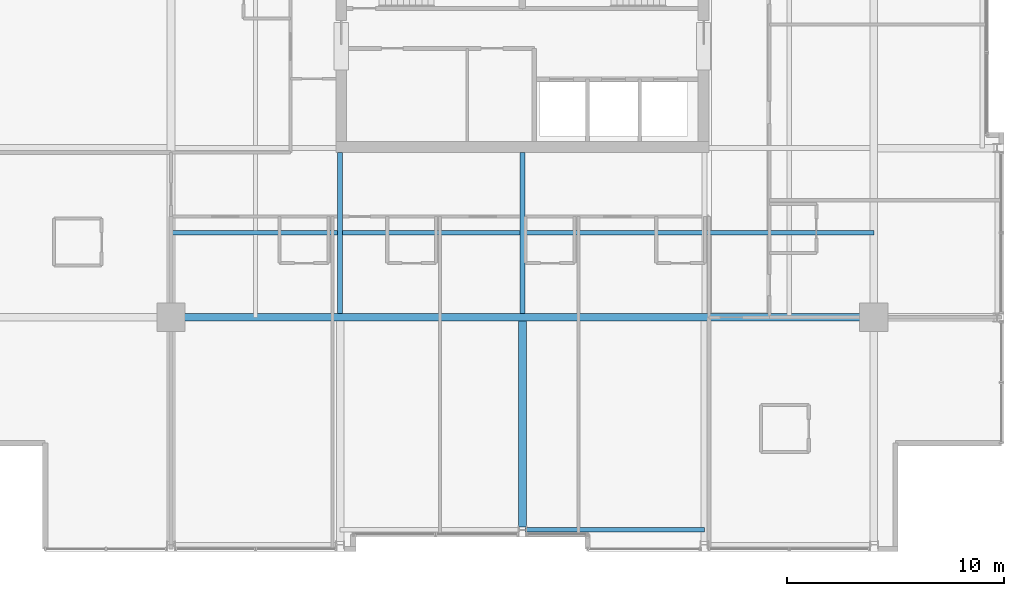
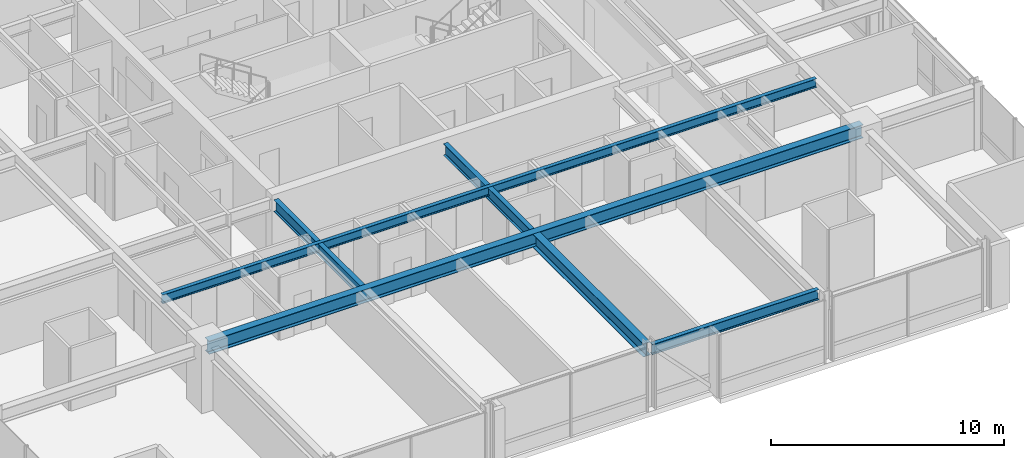
# One storey, part 6 of 34: 6 beams.
"""IFC4 building model written with IfcOpenShell, lengths in metres."""

from ifc_helpers import new_model, si_unit, direction, frame, origin, origin_2d, place, context, subcontext, project, spatial, i_section, extrude, material, material_profile, profile_set, type_object, element, save


model = new_model("IFC4")

# Units and contexts
model_context = context("Model", 3, precision=1e-05, world=origin(), true_north=direction((0.0, 1.0)))
body_context = subcontext(model_context, "Body", "Model", "MODEL_VIEW")
ifc_project = project(units=[si_unit("LENGTHUNIT", "METRE"), si_unit("AREAUNIT", "SQUARE_METRE"), si_unit("VOLUMEUNIT", "CUBIC_METRE"), si_unit("PLANEANGLEUNIT", "RADIAN"), si_unit("MASSUNIT", "GRAM", prefix="KILO")], contexts=[model_context])

# Site, building, storey
site_placement = place(None, origin())
site = spatial("IfcSite", under=ifc_project, at=site_placement, CompositionType="ELEMENT")
building_placement = place(site_placement, origin())
building = spatial("IfcBuilding", under=site, at=building_placement, Name="Drelvath Grand Hotel", CompositionType="ELEMENT")
storey_placement = place(building_placement, frame((0.0, 0.0, 175.25)))
storey = spatial("IfcBuildingStorey", under=building, at=storey_placement, Name="L45", CompositionType="ELEMENT", Elevation=175.25)

# Beams
ifc_material = material(Name="Steel ASTM A992 Gr 50", Category="steel")
ifc_material_profile_1 = material_profile(ifc_material, i_section(OverallWidth=0.19140625, OverallDepth=0.4599609375, WebThickness=0.010009765625, FlangeThickness=0.01611328125, FilletRadius=0.01611328125, at=origin_2d()), Name="W18X55")
ifc_profile_set_1 = profile_set([ifc_material_profile_1], Name="Steel ASTM A992 Gr 50")
beam_type_1 = type_object("IfcBeamType", Name="Composite Floor Joist W18X55", PredefinedType="JOIST", material=ifc_profile_set_1)
beam_1_placement = place(storey_placement, frame((-16.199951171875, 14.699951171875, 3.06005859375), z_axis=(1.0, 0.0, 0.0), x_axis=(0.0, 1.0, 0.0)))
element("IfcBeam", 1, at=beam_1_placement, inside=storey, type_object=beam_type_1, Name="L45 Floor Joist J1", PredefinedType="JOIST", context=body_context, shape_type="SweptSolid", body=[
    extrude(i_section(OverallWidth=0.19140625, OverallDepth=0.4599609375, WebThickness=0.010009765625, FlangeThickness=0.01611328125, FilletRadius=0.01611328125, at=origin_2d()), origin(), (0.0, 0.0, 1.0), 32.39990234375),
])
ifc_material_profile_2 = material_profile(ifc_material, i_section(OverallWidth=0.210205078125, OverallDepth=0.53662109375, WebThickness=0.010986328125, FlangeThickness=0.017333984375, FilletRadius=0.01806640625, at=origin_2d()), Name="W21X68")
ifc_profile_set_2 = profile_set([ifc_material_profile_2], Name="Steel ASTM A992 Gr 50")
beam_type_2 = type_object("IfcBeamType", Name="Perimeter Spandrel Beam W21X68", PredefinedType="SPANDREL", material=ifc_profile_set_2)
beam_2_placement = place(storey_placement, frame((0.139892578125, 1.0, 3.021484375), z_axis=(1.0, 0.0, 0.0), x_axis=(0.0, 1.0, 0.0)))
element("IfcBeam", 2, at=beam_2_placement, inside=storey, type_object=beam_type_2, Name="L45 Spandrel South Mid E", PredefinedType="SPANDREL", context=body_context, shape_type="SweptSolid", body=[
    extrude(i_section(OverallWidth=0.210205078125, OverallDepth=0.53662109375, WebThickness=0.010986328125, FlangeThickness=0.017333984375, FilletRadius=0.01806640625, at=origin_2d()), origin(), (0.0, 0.0, 1.0), 8.260009765625),
])
ifc_material_profile_3 = material_profile(ifc_material, i_section(OverallWidth=0.228271484375, OverallDepth=0.607666015625, WebThickness=0.01123046875, FlangeThickness=0.017333984375, FilletRadius=0.02001953125, at=origin_2d()), Name="W24X76")
ifc_profile_set_3 = profile_set([ifc_material_profile_3], Name="Steel ASTM A992 Gr 50")
beam_type_3 = type_object("IfcBeamType", Name="Primary Floor Girder W24X76", PredefinedType="BEAM", material=ifc_profile_set_3)
for number, where, z_axis, x_axis, name in (
    (3, (-8.39990234375, 10.977294921875, 2.986083984375), (0.0, 1.0, 0.0), (-1.0, 0.0, 0.0), "L45 South Core Tie 4"),
    (4, (0.0, 10.977294921875, 2.986083984375), (0.0, 1.0, 0.0), (-1.0, 0.0, 0.0), "L45 South Core Tie 5"),
):
    element("IfcBeam", number, at=place(storey_placement, frame(where, z_axis=z_axis, x_axis=x_axis)), inside=storey, type_object=beam_type_3, Name=name, PredefinedType="BEAM", context=body_context, shape_type="SweptSolid", body=[
        extrude(i_section(OverallWidth=0.228271484375, OverallDepth=0.607666015625, WebThickness=0.01123046875, FlangeThickness=0.017333984375, FilletRadius=0.02001953125, at=origin_2d()), origin(), (0.0, 0.0, 1.0), 7.422607421875),
    ])
ifc_material_profile_4 = material_profile(ifc_material, i_section(OverallWidth=0.354736328125, OverallDepth=0.695556640625, WebThickness=0.015380859375, FlangeThickness=0.025146484375, FilletRadius=0.02392578125, at=origin_2d()), Name="W27X146")
ifc_profile_set_4 = profile_set([ifc_material_profile_4], Name="Steel ASTM A992 Gr 50")
beam_type_4 = type_object("IfcBeamType", Name="Primary Floor Girder W27X146", PredefinedType="BEAM", material=ifc_profile_set_4)
beam_3_placement = place(storey_placement, frame((-16.199951171875, 10.800048828125, 2.9423828125), z_axis=(1.0, 0.0, 0.0), x_axis=(0.0, 1.0, 0.0)))
element("IfcBeam", 5, at=beam_3_placement, inside=storey, type_object=beam_type_4, Name="L45 Mega Ring Girder South", PredefinedType="BEAM", context=body_context, shape_type="SweptSolid", body=[
    extrude(i_section(OverallWidth=0.354736328125, OverallDepth=0.695556640625, WebThickness=0.015380859375, FlangeThickness=0.025146484375, FilletRadius=0.02392578125, at=origin_2d()), origin(), (0.0, 0.0, 1.0), 32.39990234375),
])
beam_4_placement = place(storey_placement, frame((0.0, 1.139892578125, 2.9423828125), z_axis=(0.0, 1.0, 0.0), x_axis=(-1.0, 0.0, 0.0)))
element("IfcBeam", 6, at=beam_4_placement, inside=storey, type_object=beam_type_4, Name="L45 South Wing Girder 5", PredefinedType="BEAM", context=body_context, shape_type="SweptSolid", body=[
    extrude(i_section(OverallWidth=0.354736328125, OverallDepth=0.695556640625, WebThickness=0.015380859375, FlangeThickness=0.025146484375, FilletRadius=0.02392578125, at=origin_2d()), origin(), (0.0, 0.0, 1.0), 9.482666015625),
])

save(model, "model.ifc")
